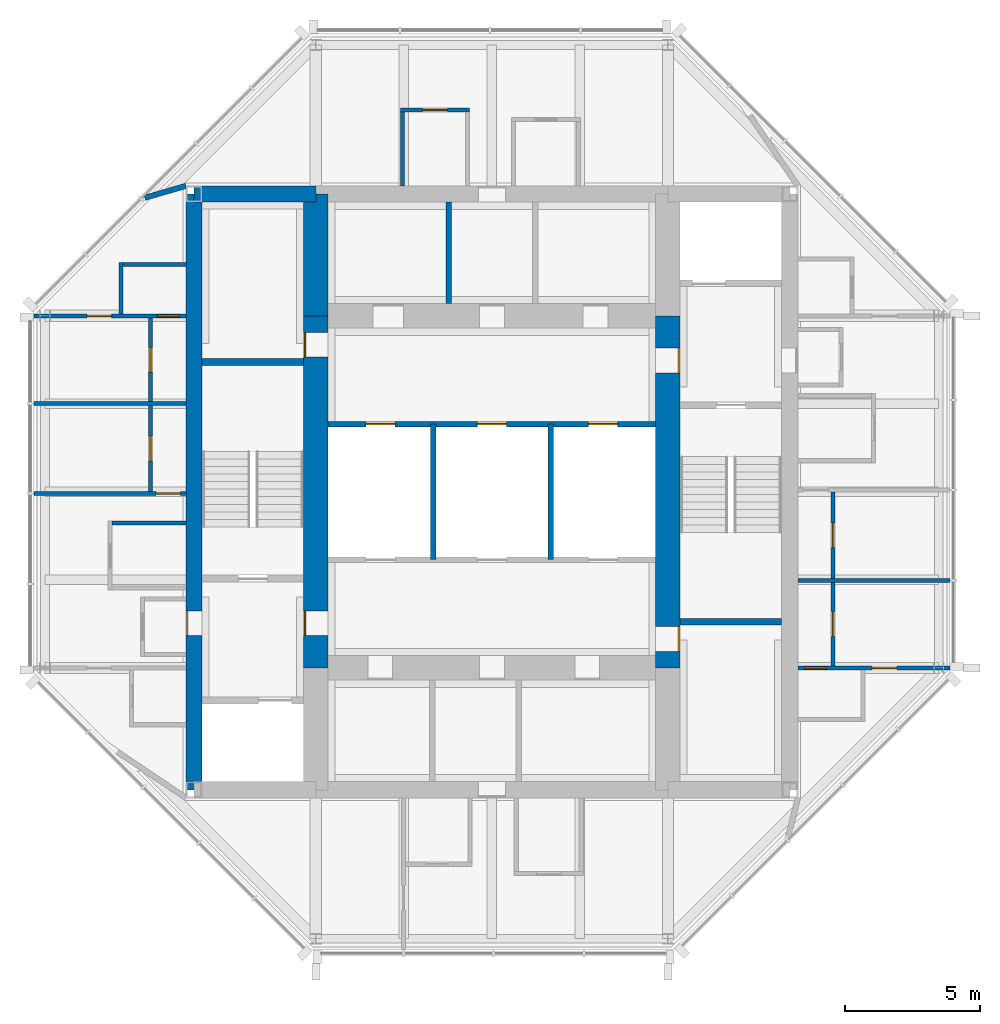
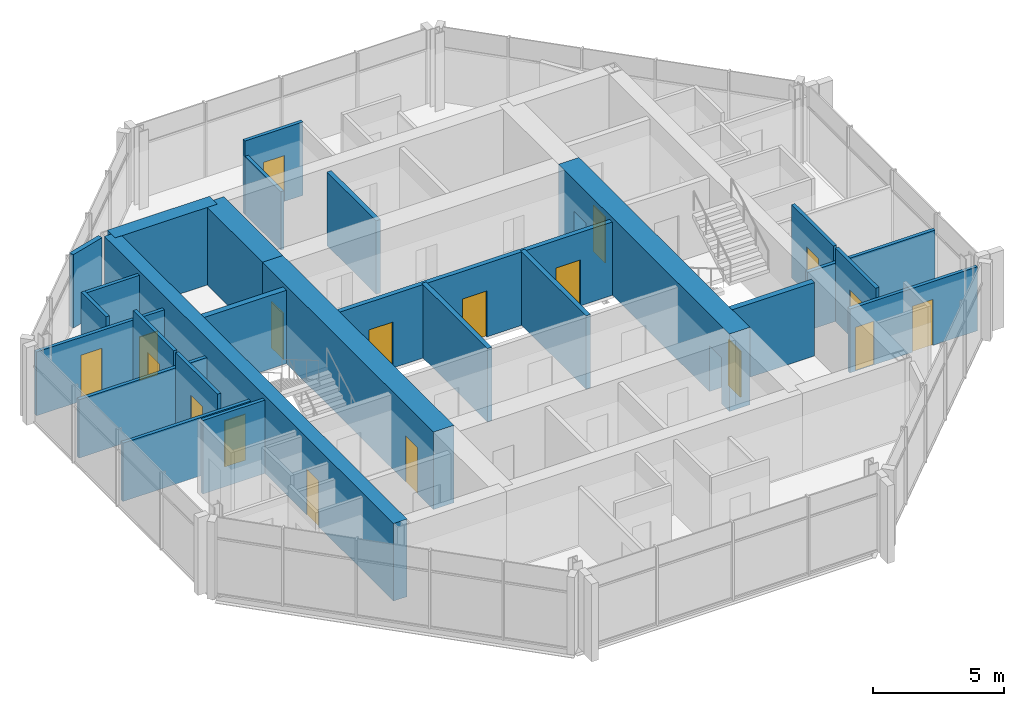
# One storey, part 6 of 9: 26 walls, 18 doors, 18 openings.
"""IFC4 building model written with IfcOpenShell, lengths in metres."""

from ifc_helpers import new_model, si_unit, direction, frame, frame_2d, origin, place, context, subcontext, project, spatial, rectangle, extrude, material, layer, layer_set, type_object, element, fill, save


model = new_model("IFC4")

# Units and contexts
model_context = context("Model", 3, precision=1e-05, world=origin(), true_north=direction((0.0, 1.0)))
body_context = subcontext(model_context, "Body", "Model", "MODEL_VIEW")
ifc_project = project(units=[si_unit("LENGTHUNIT", "METRE"), si_unit("AREAUNIT", "SQUARE_METRE"), si_unit("VOLUMEUNIT", "CUBIC_METRE"), si_unit("PLANEANGLEUNIT", "RADIAN"), si_unit("MASSUNIT", "GRAM", prefix="KILO")], contexts=[model_context])

# Site, building, storey
site_placement = place(None, origin())
site = spatial("IfcSite", under=ifc_project, at=site_placement, CompositionType="ELEMENT")
building_placement = place(site_placement, origin())
building = spatial("IfcBuilding", under=site, at=building_placement, Name="Trevanion Tower", CompositionType="ELEMENT")
storey_placement = place(building_placement, frame((0.0, 0.0, 295.60009765625)))
storey = spatial("IfcBuildingStorey", under=building, at=storey_placement, Name="L73", CompositionType="ELEMENT", Elevation=295.60009765625)

# Wall, opening, door
ifc_material_1 = material(Name="Concrete 10,000 psi", Category="concrete")
ifc_layer_1 = layer(ifc_material_1, 0.60009765625)
ifc_layer_set_1 = layer_set([ifc_layer_1], Name="CW1 core wall 600")
wall_type_1 = type_object("IfcWallType", Name="CW1 core wall 600", PredefinedType="SHEAR", material=ifc_layer_set_1)
wall_1_placement = place(storey_placement, frame((-11.0, 11.0, 0.0), z_axis=(0.0, 0.0, 1.0), x_axis=(0.0, -1.0, 0.0)))
wall_1 = element("IfcWall", 1, at=wall_1_placement, inside=storey, type_object=wall_type_1, Name="CW1 CW L73", PredefinedType="SHEAR", context=body_context, shape_type="SweptSolid", body=[
    extrude(rectangle(XDim=22.0, YDim=0.60009765625, at=frame_2d((11.0, 0.0))), origin(), (0.0, 0.0, 1.0), 3.599853515625),
])
opening_1_placement = place(wall_1_placement, frame((15.392578125, 0.0, 0.0)))
opening_1 = element("IfcOpeningElement", 2, at=opening_1_placement, cuts=wall_1, Name="Opening 73-002", PredefinedType="OPENING", context=body_context, shape_type="SweptSolid", body=[
    extrude(rectangle(XDim=0.9150390625, YDim=2.134033203125, at=frame_2d((0.45751953125, 1.06689453125))), frame((0.0, 0.31005859375, 0.0), z_axis=(0.0, -1.0, 0.0), x_axis=(1.0, 0.0, 0.0)), (0.0, 0.0, 1.0), 0.6201171875),
])
ifc_material_2 = material(Name="Hollow metal, fire rated", Category="steel")
door_type_1 = type_object("IfcDoorType", Name="D3 fire lift lobby door", OperationType="SINGLE_SWING_RIGHT", PredefinedType="DOOR", material=ifc_material_2)
door_1_placement = place(opening_1_placement, origin())
door_1 = element("IfcDoor", 3, at=door_1_placement, inside=storey, type_object=door_type_1, Name="Door 73-002", OperationType="SINGLE_SWING_RIGHT", OverallHeight=2.134033203125, OverallWidth=0.9150390625, PredefinedType="DOOR", context=body_context, shape_type="SweptSolid", body=[
    extrude(rectangle(XDim=0.9150390625, YDim=2.134033203125, at=frame_2d((0.45751953125, 1.06689453125))), frame((0.0, -0.22509765625, 0.0), z_axis=(0.0, -1.0, 0.0), x_axis=(1.0, 0.0, 0.0)), (0.0, 0.0, 1.0), 0.050048828125),
])
fill(opening_1, door_1)

# Wall
wall_2_placement = place(storey_placement, frame((-6.5, 11.0, 0.0), z_axis=(0.0, 0.0, 1.0), x_axis=(-1.0, 0.0, 0.0)))
element("IfcWall", 4, at=wall_2_placement, inside=storey, type_object=wall_type_1, Name="CW1 CN3 L73", PredefinedType="SHEAR", context=body_context, shape_type="SweptSolid", body=[
    extrude(rectangle(XDim=4.5, YDim=0.60009765625, at=frame_2d((2.25, 0.0))), origin(), (0.0, 0.0, 1.0), 3.599853515625),
])

# Wall, openings, doors
ifc_material_3 = material(Name="Concrete 10,000 psi", Category="concrete")
ifc_layer_2 = layer(ifc_material_3, 0.89990234375)
ifc_layer_set_2 = layer_set([ifc_layer_2], Name="CW2 core wall 900")
wall_type_2 = type_object("IfcWallType", Name="CW2 core wall 900", PredefinedType="SHEAR", material=ifc_layer_set_2)
wall_3_placement = place(storey_placement, frame((6.5, -6.5, 0.0), z_axis=(0.0, 0.0, 1.0), x_axis=(0.0, 1.0, 0.0)))
wall_3 = element("IfcWall", 5, at=wall_3_placement, inside=storey, type_object=wall_type_2, Name="CW2 RE2 L73", PredefinedType="SHEAR", context=body_context, shape_type="SweptSolid", body=[
    extrude(rectangle(XDim=13.0, YDim=0.89990234375, at=frame_2d((6.5, 0.0))), origin(), (0.0, 0.0, 1.0), 3.599853515625),
])
opening_2_placement = place(wall_3_placement, frame((10.892578125, 0.0, 0.0)))
opening_2 = element("IfcOpeningElement", 6, at=opening_2_placement, cuts=wall_3, Name="Opening 73-003", PredefinedType="OPENING", context=body_context, shape_type="SweptSolid", body=[
    extrude(rectangle(XDim=0.9150390625, YDim=2.134033203125, at=frame_2d((0.45751953125, 1.06689453125))), frame((0.0, 0.4599609375, 0.0), z_axis=(0.0, -1.0, 0.0), x_axis=(1.0, 0.0, 0.0)), (0.0, 0.0, 1.0), 0.919921875),
])
opening_3_placement = place(wall_3_placement, frame((0.610107421875, 0.0, 0.0)))
opening_3 = element("IfcOpeningElement", 7, at=opening_3_placement, cuts=wall_3, Name="Opening 73-009", PredefinedType="OPENING", context=body_context, shape_type="SweptSolid", body=[
    extrude(rectangle(XDim=0.9150390625, YDim=2.134033203125, at=frame_2d((0.45751953125, 1.06689453125))), frame((0.0, 0.4599609375, 0.0), z_axis=(0.0, -1.0, 0.0), x_axis=(1.0, 0.0, 0.0)), (0.0, 0.0, 1.0), 0.919921875),
])
door_2_placement = place(opening_2_placement, origin())
door_2 = element("IfcDoor", 8, at=door_2_placement, inside=storey, type_object=door_type_1, Name="Door 73-003", OperationType="SINGLE_SWING_RIGHT", OverallHeight=2.134033203125, OverallWidth=0.9150390625, PredefinedType="DOOR", context=body_context, shape_type="SweptSolid", body=[
    extrude(rectangle(XDim=0.9150390625, YDim=2.134033203125, at=frame_2d((0.45751953125, 1.06689453125))), frame((0.0, -0.375, 0.0), z_axis=(0.0, -1.0, 0.0), x_axis=(1.0, 0.0, 0.0)), (0.0, 0.0, 1.0), 0.050048828125),
])
fill(opening_2, door_2)
ifc_material_4 = material(Name="Hollow metal, fire rated", Category="steel")
door_type_2 = type_object("IfcDoorType", Name="D5 service room door", OperationType="SINGLE_SWING_RIGHT", PredefinedType="DOOR", material=ifc_material_4)
door_3_placement = place(opening_3_placement, origin())
door_3 = element("IfcDoor", 9, at=door_3_placement, inside=storey, type_object=door_type_2, Name="Door 73-009", OperationType="SINGLE_SWING_RIGHT", OverallHeight=2.134033203125, OverallWidth=0.9150390625, PredefinedType="DOOR", context=body_context, shape_type="SweptSolid", body=[
    extrude(rectangle(XDim=0.9150390625, YDim=2.134033203125, at=frame_2d((0.45751953125, 1.06689453125))), frame((0.0, -0.375, 0.0), z_axis=(0.0, -1.0, 0.0), x_axis=(1.0, 0.0, 0.0)), (0.0, 0.0, 1.0), 0.050048828125),
])
fill(opening_3, door_3)

# Wall
wall_4_placement = place(storey_placement, frame((-6.5, 11.0, 0.0), z_axis=(0.0, 0.0, 1.0), x_axis=(0.0, -1.0, 0.0)))
element("IfcWall", 10, at=wall_4_placement, inside=storey, type_object=wall_type_2, Name="CW2 RW1 L73", PredefinedType="SHEAR", context=body_context, shape_type="SweptSolid", body=[
    extrude(rectangle(XDim=4.5, YDim=0.89990234375, at=frame_2d((2.25, 0.0))), origin(), (0.0, 0.0, 1.0), 3.599853515625),
])

# Wall, openings, doors
wall_5_placement = place(storey_placement, frame((-6.5, 6.5, 0.0), z_axis=(0.0, 0.0, 1.0), x_axis=(0.0, -1.0, 0.0)))
wall_5 = element("IfcWall", 11, at=wall_5_placement, inside=storey, type_object=wall_type_2, Name="CW2 RW2 L73", PredefinedType="SHEAR", context=body_context, shape_type="SweptSolid", body=[
    extrude(rectangle(XDim=13.0, YDim=0.89990234375, at=frame_2d((6.5, 0.0))), origin(), (0.0, 0.0, 1.0), 3.599853515625),
])
opening_4_placement = place(wall_5_placement, frame((10.892578125, 0.0, 0.0)))
opening_4 = element("IfcOpeningElement", 12, at=opening_4_placement, cuts=wall_5, Name="Opening 73-004", PredefinedType="OPENING", context=body_context, shape_type="SweptSolid", body=[
    extrude(rectangle(XDim=0.9150390625, YDim=2.134033203125, at=frame_2d((0.45751953125, 1.06689453125))), frame((0.0, 0.4599609375, 0.0), z_axis=(0.0, -1.0, 0.0), x_axis=(1.0, 0.0, 0.0)), (0.0, 0.0, 1.0), 0.919921875),
])
opening_5_placement = place(wall_5_placement, frame((0.610107421875, 0.0, 0.0)))
opening_5 = element("IfcOpeningElement", 13, at=opening_5_placement, cuts=wall_5, Name="Opening 73-010", PredefinedType="OPENING", context=body_context, shape_type="SweptSolid", body=[
    extrude(rectangle(XDim=0.9150390625, YDim=2.134033203125, at=frame_2d((0.45751953125, 1.06689453125))), frame((0.0, 0.4599609375, 0.0), z_axis=(0.0, -1.0, 0.0), x_axis=(1.0, 0.0, 0.0)), (0.0, 0.0, 1.0), 0.919921875),
])
door_4_placement = place(opening_4_placement, origin())
door_4 = element("IfcDoor", 14, at=door_4_placement, inside=storey, type_object=door_type_1, Name="Door 73-004", OperationType="SINGLE_SWING_RIGHT", OverallHeight=2.134033203125, OverallWidth=0.9150390625, PredefinedType="DOOR", context=body_context, shape_type="SweptSolid", body=[
    extrude(rectangle(XDim=0.9150390625, YDim=2.134033203125, at=frame_2d((0.45751953125, 1.06689453125))), frame((0.0, -0.375, 0.0), z_axis=(0.0, -1.0, 0.0), x_axis=(1.0, 0.0, 0.0)), (0.0, 0.0, 1.0), 0.050048828125),
])
fill(opening_4, door_4)
door_5_placement = place(opening_5_placement, origin())
door_5 = element("IfcDoor", 15, at=door_5_placement, inside=storey, type_object=door_type_2, Name="Door 73-010", OperationType="SINGLE_SWING_RIGHT", OverallHeight=2.134033203125, OverallWidth=0.9150390625, PredefinedType="DOOR", context=body_context, shape_type="SweptSolid", body=[
    extrude(rectangle(XDim=0.9150390625, YDim=2.134033203125, at=frame_2d((0.45751953125, 1.06689453125))), frame((0.0, -0.375, 0.0), z_axis=(0.0, -1.0, 0.0), x_axis=(1.0, 0.0, 0.0)), (0.0, 0.0, 1.0), 0.050048828125),
])
fill(opening_5, door_5)

ifc_material_5 = material(Name="Gypsum board on steel studs", Category="steel")
ifc_layer_3 = layer(ifc_material_5, 0.14990234375)
ifc_layer_set_3 = layer_set([ifc_layer_3], Name="PT1 partition 150")
wall_type_3 = type_object("IfcWallType", Name="PT1 partition 150", PredefinedType="PARTITIONING", material=ifc_layer_set_3)
wall_6_placement = place(storey_placement, frame((11.300048828125, -6.5, 0.0), z_axis=(0.0, 0.0, 1.0), x_axis=(1.0, 0.0, 0.0)))
wall_6 = element("IfcWall", 16, at=wall_6_placement, inside=storey, type_object=wall_type_3, Name="PT1 L73 REC0", PredefinedType="PARTITIONING", context=body_context, shape_type="SweptSolid", body=[
    extrude(rectangle(XDim=5.614990234375, YDim=0.14990234375, at=frame_2d((2.8076171875, 0.0))), origin(), (0.0, 0.0, 1.0), 2.965576171875),
])
opening_6_placement = place(wall_6_placement, frame((0.243408203125, 0.0, 0.0)))
opening_6 = element("IfcOpeningElement", 17, at=opening_6_placement, cuts=wall_6, Name="Opening 73-031", PredefinedType="OPENING", context=body_context, shape_type="SweptSolid", body=[
    extrude(rectangle(XDim=0.81298828125, YDim=2.031982421875, at=frame_2d((0.406494140625, 1.01611328125))), frame((0.0, 0.0849609375, 0.0), z_axis=(0.0, -1.0, 0.0), x_axis=(1.0, 0.0, 0.0)), (0.0, 0.0, 1.0), 0.169921875),
])
opening_7_placement = place(wall_6_placement, frame((2.742431640625, 0.0, 0.0)))
opening_7 = element("IfcOpeningElement", 18, at=opening_7_placement, cuts=wall_6, Name="Opening 73-032", PredefinedType="OPENING", context=body_context, shape_type="SweptSolid", body=[
    extrude(rectangle(XDim=0.9150390625, YDim=2.134033203125, at=frame_2d((0.45751953125, 1.06689453125))), frame((0.0, 0.0849609375, 0.0), z_axis=(0.0, -1.0, 0.0), x_axis=(1.0, 0.0, 0.0)), (0.0, 0.0, 1.0), 0.169921875),
])
ifc_material_6 = material(Name="Timber veneer, solid core", Category="wood")
door_type_3 = type_object("IfcDoorType", Name="D1 office and meeting room door", OperationType="SINGLE_SWING_LEFT", PredefinedType="DOOR", material=ifc_material_6)
door_6_placement = place(opening_7_placement, origin())
door_6 = element("IfcDoor", 19, at=door_6_placement, inside=storey, type_object=door_type_3, Name="Door 73-032", OperationType="SINGLE_SWING_LEFT", OverallHeight=2.134033203125, OverallWidth=0.9150390625, PredefinedType="DOOR", context=body_context, shape_type="SweptSolid", body=[
    extrude(rectangle(XDim=0.9150390625, YDim=2.134033203125, at=frame_2d((0.45751953125, 1.06689453125))), frame((0.0, 0.02490234375, 0.0), z_axis=(0.0, -1.0, 0.0), x_axis=(1.0, 0.0, 0.0)), (0.0, 0.0, 1.0), 0.050048828125),
])
fill(opening_7, door_6)
ifc_material_7 = material(Name="Timber veneer", Category="wood")
door_type_4 = type_object("IfcDoorType", Name="D14 residence bathroom door", OperationType="SINGLE_SWING_LEFT", PredefinedType="DOOR", material=ifc_material_7)
door_7_placement = place(opening_6_placement, origin())
door_7 = element("IfcDoor", 20, at=door_7_placement, inside=storey, type_object=door_type_4, Name="Door 73-031", OperationType="SINGLE_SWING_LEFT", OverallHeight=2.031982421875, OverallWidth=0.81298828125, PredefinedType="DOOR", context=body_context, shape_type="SweptSolid", body=[
    extrude(rectangle(XDim=0.81298828125, YDim=2.031982421875, at=frame_2d((0.406494140625, 1.01611328125))), frame((0.0, 0.02490234375, 0.0), z_axis=(0.0, -1.0, 0.0), x_axis=(1.0, 0.0, 0.0)), (0.0, 0.0, 1.0), 0.050048828125),
])
fill(opening_6, door_7)

# Wall
wall_7_placement = place(storey_placement, frame((11.300048828125, -3.26611328125, 0.0), z_axis=(0.0, 0.0, 1.0), x_axis=(1.0, 0.0, 0.0)))
element("IfcWall", 21, at=wall_7_placement, inside=storey, type_object=wall_type_3, Name="PT1 L73 REC1", PredefinedType="PARTITIONING", context=body_context, shape_type="SweptSolid", body=[
    extrude(rectangle(XDim=5.614990234375, YDim=0.14990234375, at=frame_2d((2.8076171875, 0.0))), origin(), (0.0, 0.0, 1.0), 2.708984375),
])

# Wall, opening, door
wall_8_placement = place(storey_placement, frame((12.60009765625, -6.425048828125, 0.0), z_axis=(0.0, 0.0, 1.0), x_axis=(0.0, 1.0, 0.0)))
wall_8 = element("IfcWall", 22, at=wall_8_placement, inside=storey, type_object=wall_type_3, Name="PT1 L73 REH1", PredefinedType="PARTITIONING", context=body_context, shape_type="SweptSolid", body=[
    extrude(rectangle(XDim=3.083984375, YDim=0.14990234375, at=frame_2d((1.5419921875, 0.0))), origin(), (0.0, 0.0, 1.0), 3.409912109375),
])
opening_8_placement = place(wall_8_placement, frame((1.08447265625, 0.0, 0.0)))
opening_8 = element("IfcOpeningElement", 23, at=opening_8_placement, cuts=wall_8, Name="Opening 73-028", PredefinedType="OPENING", context=body_context, shape_type="SweptSolid", body=[
    extrude(rectangle(XDim=0.9150390625, YDim=2.134033203125, at=frame_2d((0.45751953125, 1.06689453125))), frame((0.0, 0.0849609375, 0.0), z_axis=(0.0, -1.0, 0.0), x_axis=(1.0, 0.0, 0.0)), (0.0, 0.0, 1.0), 0.169921875),
])
door_8_placement = place(opening_8_placement, origin())
door_8 = element("IfcDoor", 24, at=door_8_placement, inside=storey, type_object=door_type_3, Name="Door 73-028", OperationType="SINGLE_SWING_LEFT", OverallHeight=2.134033203125, OverallWidth=0.9150390625, PredefinedType="DOOR", context=body_context, shape_type="SweptSolid", body=[
    extrude(rectangle(XDim=0.9150390625, YDim=2.134033203125, at=frame_2d((0.45751953125, 1.06689453125))), frame((0.0, 0.02490234375, 0.0), z_axis=(0.0, -1.0, 0.0), x_axis=(1.0, 0.0, 0.0)), (0.0, 0.0, 1.0), 0.050048828125),
])
fill(opening_8, door_8)

wall_9_placement = place(storey_placement, frame((12.60009765625, -3.19091796875, 0.0), z_axis=(0.0, 0.0, 1.0), x_axis=(0.0, 1.0, 0.0)))
wall_9 = element("IfcWall", 25, at=wall_9_placement, inside=storey, type_object=wall_type_3, Name="PT1 L73 REH2", PredefinedType="PARTITIONING", context=body_context, shape_type="SweptSolid", body=[
    extrude(rectangle(XDim=3.180908203125, YDim=0.14990234375, at=frame_2d((1.59033203125, 0.0))), origin(), (0.0, 0.0, 1.0), 3.409912109375),
])
opening_9_placement = place(wall_9_placement, frame((1.133056640625, 0.0, 0.0)))
opening_9 = element("IfcOpeningElement", 26, at=opening_9_placement, cuts=wall_9, Name="Opening 73-029", PredefinedType="OPENING", context=body_context, shape_type="SweptSolid", body=[
    extrude(rectangle(XDim=0.9150390625, YDim=2.134033203125, at=frame_2d((0.45751953125, 1.06689453125))), frame((0.0, 0.0849609375, 0.0), z_axis=(0.0, -1.0, 0.0), x_axis=(1.0, 0.0, 0.0)), (0.0, 0.0, 1.0), 0.169921875),
])
door_9_placement = place(opening_9_placement, origin())
door_9 = element("IfcDoor", 27, at=door_9_placement, inside=storey, type_object=door_type_3, Name="Door 73-029", OperationType="SINGLE_SWING_LEFT", OverallHeight=2.134033203125, OverallWidth=0.9150390625, PredefinedType="DOOR", context=body_context, shape_type="SweptSolid", body=[
    extrude(rectangle(XDim=0.9150390625, YDim=2.134033203125, at=frame_2d((0.45751953125, 1.06689453125))), frame((0.0, 0.02490234375, 0.0), z_axis=(0.0, -1.0, 0.0), x_axis=(1.0, 0.0, 0.0)), (0.0, 0.0, 1.0), 0.050048828125),
])
fill(opening_9, door_9)

wall_10_placement = place(storey_placement, frame((-0.824951171875, 14.10009765625, 0.0), z_axis=(0.0, 0.0, 1.0), x_axis=(-1.0, 0.0, 0.0)))
wall_10 = element("IfcWall", 28, at=wall_10_placement, inside=storey, type_object=wall_type_3, Name="PT1 L73 RNKF", PredefinedType="PARTITIONING", context=body_context, shape_type="SweptSolid", body=[
    extrude(rectangle(XDim=2.550048828125, YDim=0.14990234375, at=frame_2d((1.27490234375, 0.0))), origin(), (0.0, 0.0, 1.0), 3.409912109375),
])
opening_10_placement = place(wall_10_placement, frame((0.8173828125, 0.0, 0.0)))
opening_10 = element("IfcOpeningElement", 29, at=opening_10_placement, cuts=wall_10, Name="Opening 73-034", PredefinedType="OPENING", context=body_context, shape_type="SweptSolid", body=[
    extrude(rectangle(XDim=0.9150390625, YDim=2.134033203125, at=frame_2d((0.45751953125, 1.06689453125))), frame((0.0, 0.0849609375, 0.0), z_axis=(0.0, -1.0, 0.0), x_axis=(1.0, 0.0, 0.0)), (0.0, 0.0, 1.0), 0.169921875),
])
door_10_placement = place(opening_10_placement, origin())
door_10 = element("IfcDoor", 30, at=door_10_placement, inside=storey, type_object=door_type_3, Name="Door 73-034", OperationType="SINGLE_SWING_LEFT", OverallHeight=2.134033203125, OverallWidth=0.9150390625, PredefinedType="DOOR", context=body_context, shape_type="SweptSolid", body=[
    extrude(rectangle(XDim=0.9150390625, YDim=2.134033203125, at=frame_2d((0.45751953125, 1.06689453125))), frame((0.0, 0.02490234375, 0.0), z_axis=(0.0, -1.0, 0.0), x_axis=(1.0, 0.0, 0.0)), (0.0, 0.0, 1.0), 0.050048828125),
])
fill(opening_10, door_10)

# Wall
wall_11_placement = place(storey_placement, frame((-3.300048828125, 11.300048828125, 0.0), z_axis=(0.0, 0.0, 1.0), x_axis=(0.0, 1.0, 0.0)))
element("IfcWall", 31, at=wall_11_placement, inside=storey, type_object=wall_type_3, Name="PT1 L73 RNKB", PredefinedType="PARTITIONING", context=body_context, shape_type="SweptSolid", body=[
    extrude(rectangle(XDim=2.724853515625, YDim=0.14990234375, at=frame_2d((1.3623046875, 0.0))), origin(), (0.0, 0.0, 1.0), 2.708984375),
])

# Wall, openings, doors
wall_12_placement = place(storey_placement, frame((-11.300048828125, 6.5, 0.0), z_axis=(0.0, 0.0, 1.0), x_axis=(-1.0, 0.0, 0.0)))
wall_12 = element("IfcWall", 32, at=wall_12_placement, inside=storey, type_object=wall_type_3, Name="PT1 L73 RWC0", PredefinedType="PARTITIONING", context=body_context, shape_type="SweptSolid", body=[
    extrude(rectangle(XDim=5.614990234375, YDim=0.14990234375, at=frame_2d((2.8076171875, 0.0))), origin(), (0.0, 0.0, 1.0), 2.965576171875),
])
opening_11_placement = place(wall_12_placement, frame((0.243408203125, 0.0, 0.0)))
opening_11 = element("IfcOpeningElement", 33, at=opening_11_placement, cuts=wall_12, Name="Opening 73-042", PredefinedType="OPENING", context=body_context, shape_type="SweptSolid", body=[
    extrude(rectangle(XDim=0.81298828125, YDim=2.031982421875, at=frame_2d((0.406494140625, 1.01611328125))), frame((0.0, 0.0849609375, 0.0), z_axis=(0.0, -1.0, 0.0), x_axis=(1.0, 0.0, 0.0)), (0.0, 0.0, 1.0), 0.169921875),
])
opening_12_placement = place(wall_12_placement, frame((2.742431640625, 0.0, 0.0)))
opening_12 = element("IfcOpeningElement", 34, at=opening_12_placement, cuts=wall_12, Name="Opening 73-043", PredefinedType="OPENING", context=body_context, shape_type="SweptSolid", body=[
    extrude(rectangle(XDim=0.9150390625, YDim=2.134033203125, at=frame_2d((0.45751953125, 1.06689453125))), frame((0.0, 0.0849609375, 0.0), z_axis=(0.0, -1.0, 0.0), x_axis=(1.0, 0.0, 0.0)), (0.0, 0.0, 1.0), 0.169921875),
])
door_11_placement = place(opening_12_placement, origin())
door_11 = element("IfcDoor", 35, at=door_11_placement, inside=storey, type_object=door_type_3, Name="Door 73-043", OperationType="SINGLE_SWING_LEFT", OverallHeight=2.134033203125, OverallWidth=0.9150390625, PredefinedType="DOOR", context=body_context, shape_type="SweptSolid", body=[
    extrude(rectangle(XDim=0.9150390625, YDim=2.134033203125, at=frame_2d((0.45751953125, 1.06689453125))), frame((0.0, 0.02490234375, 0.0), z_axis=(0.0, -1.0, 0.0), x_axis=(1.0, 0.0, 0.0)), (0.0, 0.0, 1.0), 0.050048828125),
])
fill(opening_12, door_11)
door_12_placement = place(opening_11_placement, origin())
door_12 = element("IfcDoor", 36, at=door_12_placement, inside=storey, type_object=door_type_4, Name="Door 73-042", OperationType="SINGLE_SWING_LEFT", OverallHeight=2.031982421875, OverallWidth=0.81298828125, PredefinedType="DOOR", context=body_context, shape_type="SweptSolid", body=[
    extrude(rectangle(XDim=0.81298828125, YDim=2.031982421875, at=frame_2d((0.406494140625, 1.01611328125))), frame((0.0, 0.02490234375, 0.0), z_axis=(0.0, -1.0, 0.0), x_axis=(1.0, 0.0, 0.0)), (0.0, 0.0, 1.0), 0.050048828125),
])
fill(opening_11, door_12)

# Wall
wall_13_placement = place(storey_placement, frame((-11.300048828125, 3.26611328125, 0.0), z_axis=(0.0, 0.0, 1.0), x_axis=(-1.0, 0.0, 0.0)))
element("IfcWall", 37, at=wall_13_placement, inside=storey, type_object=wall_type_3, Name="PT1 L73 RWC1", PredefinedType="PARTITIONING", context=body_context, shape_type="SweptSolid", body=[
    extrude(rectangle(XDim=5.614990234375, YDim=0.14990234375, at=frame_2d((2.8076171875, 0.0))), origin(), (0.0, 0.0, 1.0), 2.708984375),
])

# Wall, opening, door
wall_14_placement = place(storey_placement, frame((-11.300048828125, -0.06494140625, 0.0), z_axis=(0.0, 0.0, 1.0), x_axis=(-1.0, 0.0, 0.0)))
wall_14 = element("IfcWall", 38, at=wall_14_placement, inside=storey, type_object=wall_type_3, Name="PT1 L73 RWC2", PredefinedType="PARTITIONING", context=body_context, shape_type="SweptSolid", body=[
    extrude(rectangle(XDim=5.614990234375, YDim=0.14990234375, at=frame_2d((2.8076171875, 0.0))), origin(), (0.0, 0.0, 1.0), 2.708984375),
])
opening_13_placement = place(wall_14_placement, frame((0.1923828125, 0.0, 0.0)))
opening_13 = element("IfcOpeningElement", 39, at=opening_13_placement, cuts=wall_14, Name="Opening 73-041", PredefinedType="OPENING", context=body_context, shape_type="SweptSolid", body=[
    extrude(rectangle(XDim=0.9150390625, YDim=2.134033203125, at=frame_2d((0.45751953125, 1.06689453125))), frame((0.0, 0.0849609375, 0.0), z_axis=(0.0, -1.0, 0.0), x_axis=(1.0, 0.0, 0.0)), (0.0, 0.0, 1.0), 0.169921875),
])
door_13_placement = place(opening_13_placement, origin())
door_13 = element("IfcDoor", 40, at=door_13_placement, inside=storey, type_object=door_type_3, Name="Door 73-041", OperationType="SINGLE_SWING_LEFT", OverallHeight=2.134033203125, OverallWidth=0.9150390625, PredefinedType="DOOR", context=body_context, shape_type="SweptSolid", body=[
    extrude(rectangle(XDim=0.9150390625, YDim=2.134033203125, at=frame_2d((0.45751953125, 1.06689453125))), frame((0.0, 0.02490234375, 0.0), z_axis=(0.0, -1.0, 0.0), x_axis=(1.0, 0.0, 0.0)), (0.0, 0.0, 1.0), 0.050048828125),
])
fill(opening_13, door_13)

# Wall
wall_15_placement = place(storey_placement, frame((-11.300048828125, -1.14990234375, 0.0), z_axis=(0.0, 0.0, 1.0), x_axis=(-1.0, 0.0, 0.0)))
element("IfcWall", 41, at=wall_15_placement, inside=storey, type_object=wall_type_3, Name="PT1 L73 RWKA", PredefinedType="PARTITIONING", context=body_context, shape_type="SweptSolid", body=[
    extrude(rectangle(XDim=2.724853515625, YDim=0.14990234375, at=frame_2d((1.3623046875, 0.0))), origin(), (0.0, 0.0, 1.0), 3.409912109375),
])

# Wall, opening, door
wall_16_placement = place(storey_placement, frame((-12.60009765625, 6.425048828125, 0.0), z_axis=(0.0, 0.0, 1.0), x_axis=(0.0, -1.0, 0.0)))
wall_16 = element("IfcWall", 42, at=wall_16_placement, inside=storey, type_object=wall_type_3, Name="PT1 L73 RWH1", PredefinedType="PARTITIONING", context=body_context, shape_type="SweptSolid", body=[
    extrude(rectangle(XDim=3.083984375, YDim=0.14990234375, at=frame_2d((1.5419921875, 0.0))), origin(), (0.0, 0.0, 1.0), 3.409912109375),
])
opening_14_placement = place(wall_16_placement, frame((1.08447265625, 0.0, 0.0)))
opening_14 = element("IfcOpeningElement", 43, at=opening_14_placement, cuts=wall_16, Name="Opening 73-039", PredefinedType="OPENING", context=body_context, shape_type="SweptSolid", body=[
    extrude(rectangle(XDim=0.9150390625, YDim=2.134033203125, at=frame_2d((0.45751953125, 1.06689453125))), frame((0.0, 0.0849609375, 0.0), z_axis=(0.0, -1.0, 0.0), x_axis=(1.0, 0.0, 0.0)), (0.0, 0.0, 1.0), 0.169921875),
])
door_14_placement = place(opening_14_placement, origin())
door_14 = element("IfcDoor", 44, at=door_14_placement, inside=storey, type_object=door_type_3, Name="Door 73-039", OperationType="SINGLE_SWING_LEFT", OverallHeight=2.134033203125, OverallWidth=0.9150390625, PredefinedType="DOOR", context=body_context, shape_type="SweptSolid", body=[
    extrude(rectangle(XDim=0.9150390625, YDim=2.134033203125, at=frame_2d((0.45751953125, 1.06689453125))), frame((0.0, 0.02490234375, 0.0), z_axis=(0.0, -1.0, 0.0), x_axis=(1.0, 0.0, 0.0)), (0.0, 0.0, 1.0), 0.050048828125),
])
fill(opening_14, door_14)

wall_17_placement = place(storey_placement, frame((-12.60009765625, 3.19091796875, 0.0), z_axis=(0.0, 0.0, 1.0), x_axis=(0.0, -1.0, 0.0)))
wall_17 = element("IfcWall", 45, at=wall_17_placement, inside=storey, type_object=wall_type_3, Name="PT1 L73 RWH2", PredefinedType="PARTITIONING", context=body_context, shape_type="SweptSolid", body=[
    extrude(rectangle(XDim=3.180908203125, YDim=0.14990234375, at=frame_2d((1.59033203125, 0.0))), origin(), (0.0, 0.0, 1.0), 3.409912109375),
])
opening_15_placement = place(wall_17_placement, frame((1.133056640625, 0.0, 0.0)))
opening_15 = element("IfcOpeningElement", 46, at=opening_15_placement, cuts=wall_17, Name="Opening 73-040", PredefinedType="OPENING", context=body_context, shape_type="SweptSolid", body=[
    extrude(rectangle(XDim=0.9150390625, YDim=2.134033203125, at=frame_2d((0.45751953125, 1.06689453125))), frame((0.0, 0.0849609375, 0.0), z_axis=(0.0, -1.0, 0.0), x_axis=(1.0, 0.0, 0.0)), (0.0, 0.0, 1.0), 0.169921875),
])
door_15_placement = place(opening_15_placement, origin())
door_15 = element("IfcDoor", 47, at=door_15_placement, inside=storey, type_object=door_type_3, Name="Door 73-040", OperationType="SINGLE_SWING_LEFT", OverallHeight=2.134033203125, OverallWidth=0.9150390625, PredefinedType="DOOR", context=body_context, shape_type="SweptSolid", body=[
    extrude(rectangle(XDim=0.9150390625, YDim=2.134033203125, at=frame_2d((0.45751953125, 1.06689453125))), frame((0.0, 0.02490234375, 0.0), z_axis=(0.0, -1.0, 0.0), x_axis=(1.0, 0.0, 0.0)), (0.0, 0.0, 1.0), 0.050048828125),
])
fill(opening_15, door_15)

# Walls
wall_18_placement = place(storey_placement, frame((-13.699951171875, 6.574951171875, 0.0), z_axis=(0.0, 0.0, 1.0), x_axis=(0.0, 1.0, 0.0)))
element("IfcWall", 48, at=wall_18_placement, inside=storey, type_object=wall_type_3, Name="PT1 L73 RWTF", PredefinedType="PARTITIONING", context=body_context, shape_type="SweptSolid", body=[
    extrude(rectangle(XDim=1.900146484375, YDim=0.14990234375, at=frame_2d((0.9501953125, 0.0))), origin(), (0.0, 0.0, 1.0), 3.409912109375),
])
wall_19_placement = place(storey_placement, frame((-11.300048828125, 8.39990234375, 0.0), z_axis=(0.0, 0.0, 1.0), x_axis=(-1.0, 0.0, 0.0)))
element("IfcWall", 49, at=wall_19_placement, inside=storey, type_object=wall_type_3, Name="PT1 L73 RWTA", PredefinedType="PARTITIONING", context=body_context, shape_type="SweptSolid", body=[
    extrude(rectangle(XDim=2.324951171875, YDim=0.14990234375, at=frame_2d((1.16259765625, 0.0))), origin(), (0.0, 0.0, 1.0), 3.409912109375),
])

# Wall, openings, doors
ifc_material_8 = material(Name="Concrete masonry, grouted", Category="masonry")
ifc_layer_4 = layer(ifc_material_8, 0.199951171875)
ifc_layer_set_4 = layer_set([ifc_layer_4], Name="PT2 partition 200 1 HR")
wall_type_4 = type_object("IfcWallType", Name="PT2 partition 200 1 HR", PredefinedType="PARTITIONING", material=ifc_layer_set_4)
wall_20_placement = place(storey_placement, frame((-6.050048828125, 2.5, 0.0), z_axis=(0.0, 0.0, 1.0), x_axis=(1.0, 0.0, 0.0)))
wall_20 = element("IfcWall", 50, at=wall_20_placement, inside=storey, type_object=wall_type_4, Name="PT2 L73 CP1", PredefinedType="PARTITIONING", context=body_context, shape_type="SweptSolid", body=[
    extrude(rectangle(XDim=12.10009765625, YDim=0.199951171875, at=frame_2d((6.050048828125, 0.0))), origin(), (0.0, 0.0, 1.0), 3.409912109375),
])
opening_16_placement = place(wall_20_placement, frame((1.408203125, 0.0, 0.0)))
opening_16 = element("IfcOpeningElement", 51, at=opening_16_placement, cuts=wall_20, Name="Opening 73-011", PredefinedType="OPENING", context=body_context, shape_type="SweptSolid", body=[
    extrude(rectangle(XDim=1.06689453125, YDim=2.134033203125, at=frame_2d((0.533447265625, 1.06689453125))), frame((0.0, 0.10986328125, 0.0), z_axis=(0.0, -1.0, 0.0), x_axis=(1.0, 0.0, 0.0)), (0.0, 0.0, 1.0), 0.219970703125),
])
opening_17_placement = place(wall_20_placement, frame((5.5166015625, 0.0, 0.0)))
opening_17 = element("IfcOpeningElement", 52, at=opening_17_placement, cuts=wall_20, Name="Opening 73-013", PredefinedType="OPENING", context=body_context, shape_type="SweptSolid", body=[
    extrude(rectangle(XDim=1.06689453125, YDim=2.134033203125, at=frame_2d((0.533447265625, 1.06689453125))), frame((0.0, 0.10986328125, 0.0), z_axis=(0.0, -1.0, 0.0), x_axis=(1.0, 0.0, 0.0)), (0.0, 0.0, 1.0), 0.219970703125),
])
opening_18_placement = place(wall_20_placement, frame((9.624755859375, 0.0, 0.0)))
opening_18 = element("IfcOpeningElement", 53, at=opening_18_placement, cuts=wall_20, Name="Opening 73-015", PredefinedType="OPENING", context=body_context, shape_type="SweptSolid", body=[
    extrude(rectangle(XDim=1.06689453125, YDim=2.134033203125, at=frame_2d((0.533447265625, 1.06689453125))), frame((0.0, 0.10986328125, 0.0), z_axis=(0.0, -1.0, 0.0), x_axis=(1.0, 0.0, 0.0)), (0.0, 0.0, 1.0), 0.219970703125),
])
ifc_material_9 = material(Name="Stainless steel, fire rated", Category="steel")
door_type_5 = type_object("IfcDoorType", Name="LD1 lift landing door", OperationType="SLIDING_TO_LEFT", PredefinedType="DOOR", material=ifc_material_9)
door_16_placement = place(opening_16_placement, origin())
door_16 = element("IfcDoor", 54, at=door_16_placement, inside=storey, type_object=door_type_5, Name="Door 73-011", OperationType="SLIDING_TO_LEFT", OverallHeight=2.134033203125, OverallWidth=1.06689453125, PredefinedType="DOOR", context=body_context, shape_type="SweptSolid", body=[
    extrude(rectangle(XDim=1.06689453125, YDim=2.134033203125, at=frame_2d((0.533447265625, 1.06689453125))), frame((0.0, 0.02490234375, 0.0), z_axis=(0.0, -1.0, 0.0), x_axis=(1.0, 0.0, 0.0)), (0.0, 0.0, 1.0), 0.050048828125),
])
fill(opening_16, door_16)
door_17_placement = place(opening_17_placement, origin())
door_17 = element("IfcDoor", 55, at=door_17_placement, inside=storey, type_object=door_type_5, Name="Door 73-013", OperationType="SLIDING_TO_LEFT", OverallHeight=2.134033203125, OverallWidth=1.06689453125, PredefinedType="DOOR", context=body_context, shape_type="SweptSolid", body=[
    extrude(rectangle(XDim=1.06689453125, YDim=2.134033203125, at=frame_2d((0.533447265625, 1.06689453125))), frame((0.0, 0.02490234375, 0.0), z_axis=(0.0, -1.0, 0.0), x_axis=(1.0, 0.0, 0.0)), (0.0, 0.0, 1.0), 0.050048828125),
])
fill(opening_17, door_17)
door_18_placement = place(opening_18_placement, origin())
door_18 = element("IfcDoor", 56, at=door_18_placement, inside=storey, type_object=door_type_5, Name="Door 73-015", OperationType="SLIDING_TO_LEFT", OverallHeight=2.134033203125, OverallWidth=1.06689453125, PredefinedType="DOOR", context=body_context, shape_type="SweptSolid", body=[
    extrude(rectangle(XDim=1.06689453125, YDim=2.134033203125, at=frame_2d((0.533447265625, 1.06689453125))), frame((0.0, 0.02490234375, 0.0), z_axis=(0.0, -1.0, 0.0), x_axis=(1.0, 0.0, 0.0)), (0.0, 0.0, 1.0), 0.050048828125),
])
fill(opening_18, door_18)

# Walls
wall_21_placement = place(storey_placement, frame((-1.60009765625, 6.949951171875, 0.0), z_axis=(0.0, 0.0, 1.0), x_axis=(0.0, 1.0, 0.0)))
element("IfcWall", 57, at=wall_21_placement, inside=storey, type_object=wall_type_4, Name="PT2 L73 CNP1", PredefinedType="PARTITIONING", context=body_context, shape_type="SweptSolid", body=[
    extrude(rectangle(XDim=3.75, YDim=0.199951171875, at=frame_2d((1.875, 0.0))), origin(), (0.0, 0.0, 1.0), 3.409912109375),
])
wall_22_placement = place(storey_placement, frame((-11.300048828125, 11.300048828125, 0.0), z_axis=(0.0, 0.0, 1.0), x_axis=(-0.960552344683, -0.278099250491, 0.0)))
element("IfcWall", 58, at=wall_22_placement, inside=storey, type_object=wall_type_4, Name="PT2 L73 UB1", PredefinedType="PARTITIONING", context=body_context, shape_type="SweptSolid", body=[
    extrude(rectangle(XDim=1.583740234375, YDim=0.199951171875, at=frame_2d((0.7919921875, 0.0))), origin(), (0.0, 0.0, 1.0), 3.409912109375),
])
ifc_material_10 = material(Name="Concrete masonry, grouted", Category="masonry")
ifc_layer_5 = layer(ifc_material_10, 0.199951171875)
ifc_layer_set_5 = layer_set([ifc_layer_5], Name="PT2 partition 200 2 HR")
wall_type_5 = type_object("IfcWallType", Name="PT2 partition 200 2 HR", PredefinedType="PARTITIONING", material=ifc_layer_set_5)
for number, where, z_axis, x_axis, name in (
    (59, (-2.166748046875, -2.5, 0.0), (0.0, 0.0, 1.0), (0.0, 1.0, 0.0), "PT2 L73 MS0"),
    (60, (2.166748046875, -2.5, 0.0), (0.0, 0.0, 1.0), (0.0, 1.0, 0.0), "PT2 L73 MS1"),
):
    element("IfcWall", number, at=place(storey_placement, frame(where, z_axis=z_axis, x_axis=x_axis)), inside=storey, type_object=wall_type_5, Name=name, PredefinedType="PARTITIONING", context=body_context, shape_type="SweptSolid", body=[
        extrude(rectangle(XDim=5.0, YDim=0.199951171875, at=frame_2d((2.5, 0.0))), origin(), (0.0, 0.0, 1.0), 3.409912109375),
    ])
ifc_material_11 = material(Name="Reinforced masonry, fully grouted", Category="masonry")
ifc_layer_6 = layer(ifc_material_11, 0.25)
ifc_layer_set_6 = layer_set([ifc_layer_6], Name="SW1 stair shaft wall 250")
wall_type_6 = type_object("IfcWallType", Name="SW1 stair shaft wall 250", PredefinedType="SOLIDWALL", material=ifc_layer_set_6)
for number, where, z_axis, x_axis, name in (
    (61, (6.949951171875, -4.800048828125, 0.0), (0.0, 0.0, 1.0), (1.0, 0.0, 0.0), "SW1 L73 EP1"),
    (62, (-6.949951171875, 4.800048828125, 0.0), (0.0, 0.0, 1.0), (-1.0, 0.0, 0.0), "SW1 L73 WP1"),
):
    element("IfcWall", number, at=place(storey_placement, frame(where, z_axis=z_axis, x_axis=x_axis)), inside=storey, type_object=wall_type_6, Name=name, PredefinedType="SOLIDWALL", context=body_context, shape_type="SweptSolid", body=[
        extrude(rectangle(XDim=3.75, YDim=0.25, at=frame_2d((1.875, 0.0))), origin(), (0.0, 0.0, 1.0), 3.409912109375),
    ])

save(model, "model.ifc")
